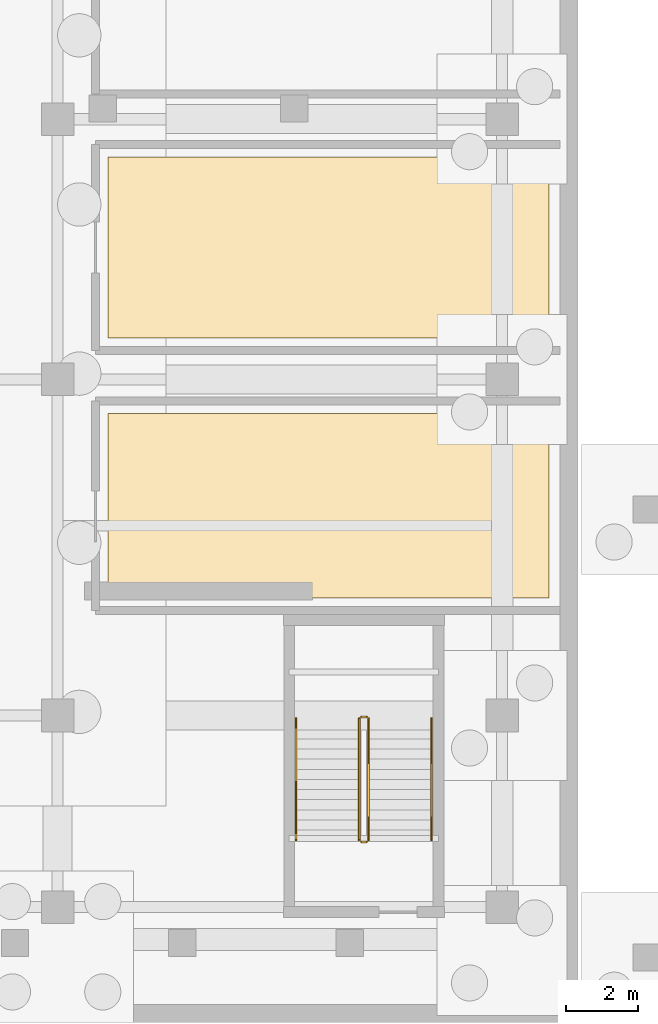
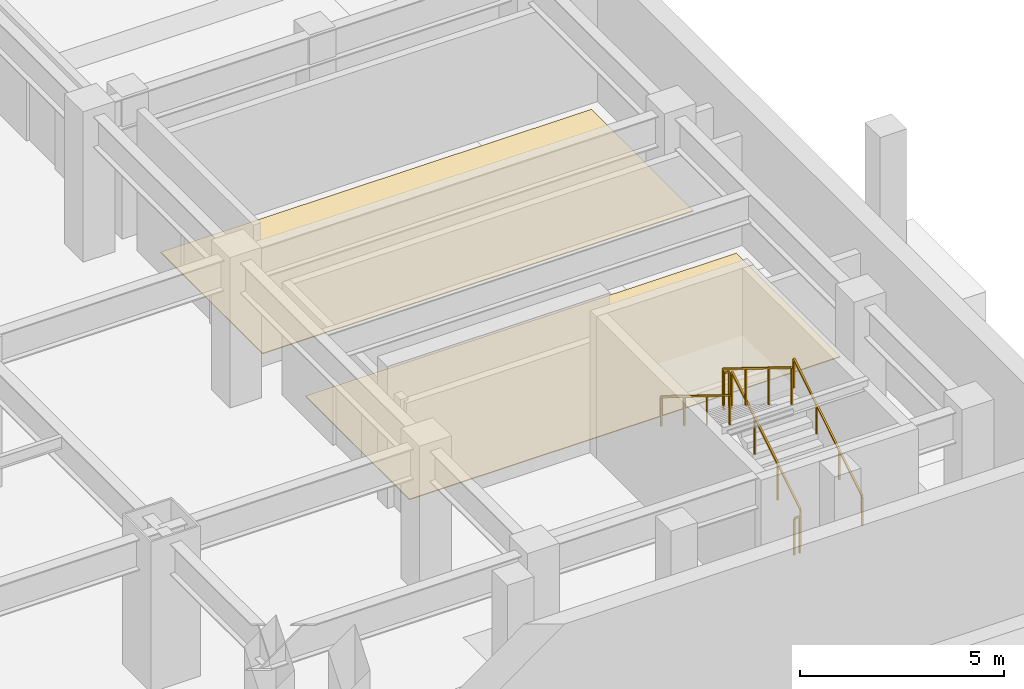
# One storey, part 11 of 12: 6 railings, 2 coverings.
"""IFC4 building model written with IfcOpenShell, lengths in metres."""

from ifc_helpers import new_model, si_unit, direction, frame, origin, origin_2d, place, context, subcontext, project, spatial, polyline, rectangle, outline, extrude, material, layer, layer_set, type_object, element, save


model = new_model("IFC4")

# Units and contexts
model_context = context("Model", 3, precision=1e-05, world=origin(), true_north=direction((0.0, 1.0)))
body_context = subcontext(model_context, "Body", "Model", "MODEL_VIEW")
ifc_project = project(units=[si_unit("LENGTHUNIT", "METRE"), si_unit("AREAUNIT", "SQUARE_METRE"), si_unit("VOLUMEUNIT", "CUBIC_METRE"), si_unit("PLANEANGLEUNIT", "RADIAN"), si_unit("MASSUNIT", "GRAM", prefix="KILO")], contexts=[model_context])

# Site, building, storey
site_placement = place(None, origin())
site = spatial("IfcSite", under=ifc_project, at=site_placement, CompositionType="ELEMENT")
building_placement = place(site_placement, origin())
building = spatial("IfcBuilding", under=site, at=building_placement, Name="Vantalir Tower", CompositionType="ELEMENT")
storey_placement = place(building_placement, frame((0.0, 0.0, -9.0)))
storey = spatial("IfcBuildingStorey", under=building, at=storey_placement, Name="B02", CompositionType="ELEMENT", Elevation=-9.0)

# Coverings
ifc_material_1 = material(Name="Tropical teak timber and terrazzo floor finish", Category="wood")
ifc_layer = layer(ifc_material_1, 0.02490234375)
ifc_layer_set = layer_set([ifc_layer], Name="Tropical teak timber and terrazzo floor finish")
covering_type = type_object("IfcCoveringType", Name="COV-TIMBER-STONE-25", PredefinedType="FLOORING", material=ifc_layer_set)
covering_1_placement = place(storey_placement, origin())
element("IfcCovering", 1, at=covering_1_placement, inside=storey, type_object=covering_type, Name="B02 Monsoon Rainwater Harvesting Tank Floor Finish", PredefinedType="FLOORING", context=body_context, shape_type="SweptSolid", body=[
    extrude(outline(polyline([(62.199951171875, 16.85009765625), (50.0, 16.85009765625), (50.0, 11.75), (54.800048828125, 11.75), (59.35009765625, 11.75), (62.199951171875, 11.75), (62.199951171875, 16.85009765625)])), origin(), (0.0, 0.0, 1.0), 0.02490234375),
])
covering_2_placement = place(storey_placement, origin())
element("IfcCovering", 2, at=covering_2_placement, inside=storey, type_object=covering_type, Name="B02 Fire and Domestic Water Tank Floor Finish", PredefinedType="FLOORING", context=body_context, shape_type="SweptSolid", body=[
    extrude(outline(polyline([(62.199951171875, 23.949951171875), (50.0, 23.949951171875), (50.0, 18.949951171875), (62.199951171875, 18.949951171875), (62.199951171875, 23.949951171875)])), origin(), (0.0, 0.0, 1.0), 0.02490234375),
])

# Railings
ifc_material_2 = material(Name="Anodised aluminium and stainless steel guard", Category="steel")
railing_type_1 = type_object("IfcRailingType", Name="RAL-GUARD-1120", PredefinedType="GUARDRAIL", material=ifc_material_2)
railing_1_placement = place(storey_placement, frame((57.199951171875, 5.050048828125, 0.173095703125)))
element("IfcRailing", 3, at=railing_1_placement, inside=storey, type_object=railing_type_1, Name="B02 PST4 stair guard 1", PredefinedType="GUARDRAIL", context=body_context, shape_type="SweptSolid", body=[
    extrude(rectangle(XDim=0.048095703125, YDim=0.048095703125, at=origin_2d()), frame((0.0, 0.0, 1.09619140625), z_axis=(0.0, 0.850606129759, 0.525803396734), x_axis=(-1.0, 0.0, 0.0)), (0.0, 0.0, 1.0), 3.949951171875),
    extrude(rectangle(XDim=0.0419921875, YDim=0.0419921875, at=origin_2d()), origin(), (0.0, 0.0, 1.0), 1.072021484375),
    extrude(rectangle(XDim=0.0419921875, YDim=0.0419921875, at=origin_2d()), frame((0.0, 1.119873046875, 0.6923828125)), (0.0, 0.0, 1.0), 1.072021484375),
    extrude(rectangle(XDim=0.0419921875, YDim=0.0419921875, at=origin_2d()), frame((0.0, 2.239990234375, 1.384521484375)), (0.0, 0.0, 1.0), 1.072021484375),
    extrude(rectangle(XDim=0.0419921875, YDim=0.0419921875, at=origin_2d()), frame((0.0, 3.35986328125, 2.076904296875)), (0.0, 0.0, 1.0), 1.072021484375),
])
railing_2_placement = place(storey_placement, frame((57.14990234375, 8.4599609375, 2.25)))
element("IfcRailing", 4, at=railing_2_placement, inside=storey, type_object=railing_type_1, Name="B02 PST4 stair guard 2", PredefinedType="GUARDRAIL", context=body_context, shape_type="SweptSolid", body=[
    extrude(rectangle(XDim=0.048095703125, YDim=0.048095703125, at=origin_2d()), frame((0.0, 0.0, 1.09619140625), z_axis=(-1.0, 0.0, 0.0), x_axis=(0.0, -1.0, 0.0)), (0.0, 0.0, 1.0), 0.14990234375),
    extrude(rectangle(XDim=0.0419921875, YDim=0.0419921875, at=origin_2d()), origin(), (0.0, 0.0, 1.0), 1.072021484375),
    extrude(rectangle(XDim=0.0419921875, YDim=0.0419921875, at=origin_2d()), frame((-0.14990234375, 0.0, 0.0)), (0.0, 0.0, 1.0), 1.072021484375),
])
railing_3_placement = place(storey_placement, frame((56.949951171875, 8.409912109375, 2.423095703125)))
element("IfcRailing", 5, at=railing_3_placement, inside=storey, type_object=railing_type_1, Name="B02 PST4 stair guard 3", PredefinedType="GUARDRAIL", context=body_context, shape_type="SweptSolid", body=[
    extrude(rectangle(XDim=0.048095703125, YDim=0.048095703125, at=origin_2d()), frame((0.0, 0.0, 1.09619140625), z_axis=(0.0, -0.850606129759, 0.525803396734), x_axis=(1.0, 0.0, 0.0)), (0.0, 0.0, 1.0), 3.949951171875),
    extrude(rectangle(XDim=0.0419921875, YDim=0.0419921875, at=origin_2d()), origin(), (0.0, 0.0, 1.0), 1.072021484375),
    extrude(rectangle(XDim=0.0419921875, YDim=0.0419921875, at=origin_2d()), frame((0.0, -1.119873046875, 0.6923828125)), (0.0, 0.0, 1.0), 1.072021484375),
    extrude(rectangle(XDim=0.0419921875, YDim=0.0419921875, at=origin_2d()), frame((0.0, -2.239990234375, 1.384521484375)), (0.0, 0.0, 1.0), 1.072021484375),
    extrude(rectangle(XDim=0.0419921875, YDim=0.0419921875, at=origin_2d()), frame((0.0, -3.35986328125, 2.076904296875)), (0.0, 0.0, 1.0), 1.072021484375),
])
railing_4_placement = place(storey_placement, frame((57.14990234375, 5.0, 0.0)))
element("IfcRailing", 6, at=railing_4_placement, inside=storey, type_object=railing_type_1, Name="B02 PST4 stair guard 4", PredefinedType="GUARDRAIL", context=body_context, shape_type="SweptSolid", body=[
    extrude(rectangle(XDim=0.048095703125, YDim=0.048095703125, at=origin_2d()), frame((0.0, 0.0, 1.09619140625), z_axis=(-1.0, 0.0, 0.0), x_axis=(0.0, -1.0, 0.0)), (0.0, 0.0, 1.0), 0.14990234375),
    extrude(rectangle(XDim=0.0419921875, YDim=0.0419921875, at=origin_2d()), origin(), (0.0, 0.0, 1.0), 1.072021484375),
    extrude(rectangle(XDim=0.0419921875, YDim=0.0419921875, at=origin_2d()), frame((-0.14990234375, 0.0, 0.0)), (0.0, 0.0, 1.0), 1.072021484375),
])
ifc_material_3 = material(Name="Brushed stainless steel tubular handrail", Category="steel")
railing_type_2 = type_object("IfcRailingType", Name="RAL-HANDRAIL-900", PredefinedType="HANDRAIL", material=ifc_material_3)
railing_5_placement = place(storey_placement, frame((58.949951171875, 5.050048828125, 0.173095703125)))
element("IfcRailing", 7, at=railing_5_placement, inside=storey, type_object=railing_type_2, Name="B02 PST4 stair handrail 1", PredefinedType="HANDRAIL", context=body_context, shape_type="SweptSolid", body=[
    extrude(rectangle(XDim=0.048095703125, YDim=0.048095703125, at=origin_2d()), frame((0.0, 0.0, 0.8759765625), z_axis=(0.0, 0.850606129759, 0.525803396734), x_axis=(-1.0, 0.0, 0.0)), (0.0, 0.0, 1.0), 3.949951171875),
    extrude(rectangle(XDim=0.0419921875, YDim=0.0419921875, at=origin_2d()), origin(), (0.0, 0.0, 1.0), 0.851806640625),
    extrude(rectangle(XDim=0.0419921875, YDim=0.0419921875, at=origin_2d()), frame((0.0, 1.119873046875, 0.6923828125)), (0.0, 0.0, 1.0), 0.851806640625),
    extrude(rectangle(XDim=0.0419921875, YDim=0.0419921875, at=origin_2d()), frame((0.0, 2.239990234375, 1.384521484375)), (0.0, 0.0, 1.0), 0.851806640625),
    extrude(rectangle(XDim=0.0419921875, YDim=0.0419921875, at=origin_2d()), frame((0.0, 3.35986328125, 2.076904296875)), (0.0, 0.0, 1.0), 0.851806640625),
])
railing_6_placement = place(storey_placement, frame((55.199951171875, 8.409912109375, 2.423095703125)))
element("IfcRailing", 8, at=railing_6_placement, inside=storey, type_object=railing_type_2, Name="B02 PST4 stair handrail 2", PredefinedType="HANDRAIL", context=body_context, shape_type="SweptSolid", body=[
    extrude(rectangle(XDim=0.048095703125, YDim=0.048095703125, at=origin_2d()), frame((0.0, 0.0, 0.8759765625), z_axis=(0.0, -0.850606129759, 0.525803396734), x_axis=(1.0, 0.0, 0.0)), (0.0, 0.0, 1.0), 3.949951171875),
    extrude(rectangle(XDim=0.0419921875, YDim=0.0419921875, at=origin_2d()), origin(), (0.0, 0.0, 1.0), 0.851806640625),
    extrude(rectangle(XDim=0.0419921875, YDim=0.0419921875, at=origin_2d()), frame((0.0, -1.119873046875, 0.6923828125)), (0.0, 0.0, 1.0), 0.851806640625),
    extrude(rectangle(XDim=0.0419921875, YDim=0.0419921875, at=origin_2d()), frame((0.0, -2.239990234375, 1.384521484375)), (0.0, 0.0, 1.0), 0.851806640625),
    extrude(rectangle(XDim=0.0419921875, YDim=0.0419921875, at=origin_2d()), frame((0.0, -3.35986328125, 2.076904296875)), (0.0, 0.0, 1.0), 0.851806640625),
])

save(model, "model.ifc")
